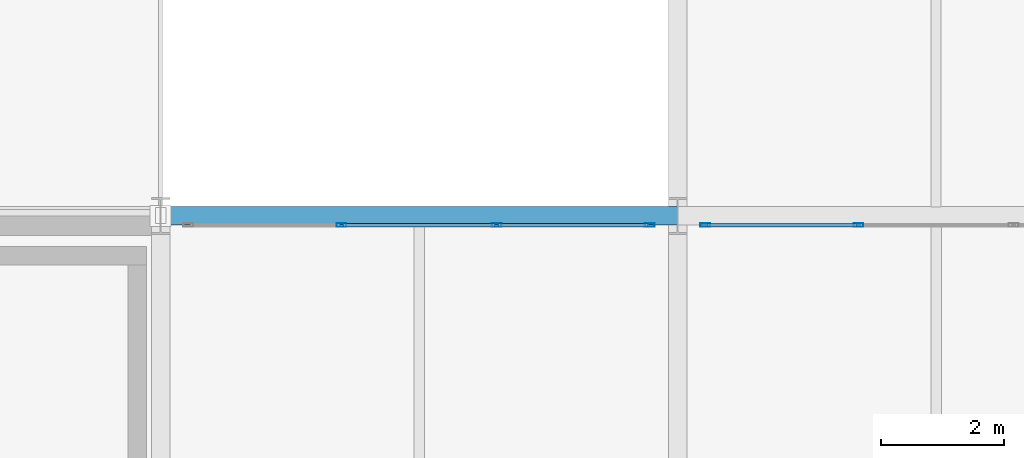
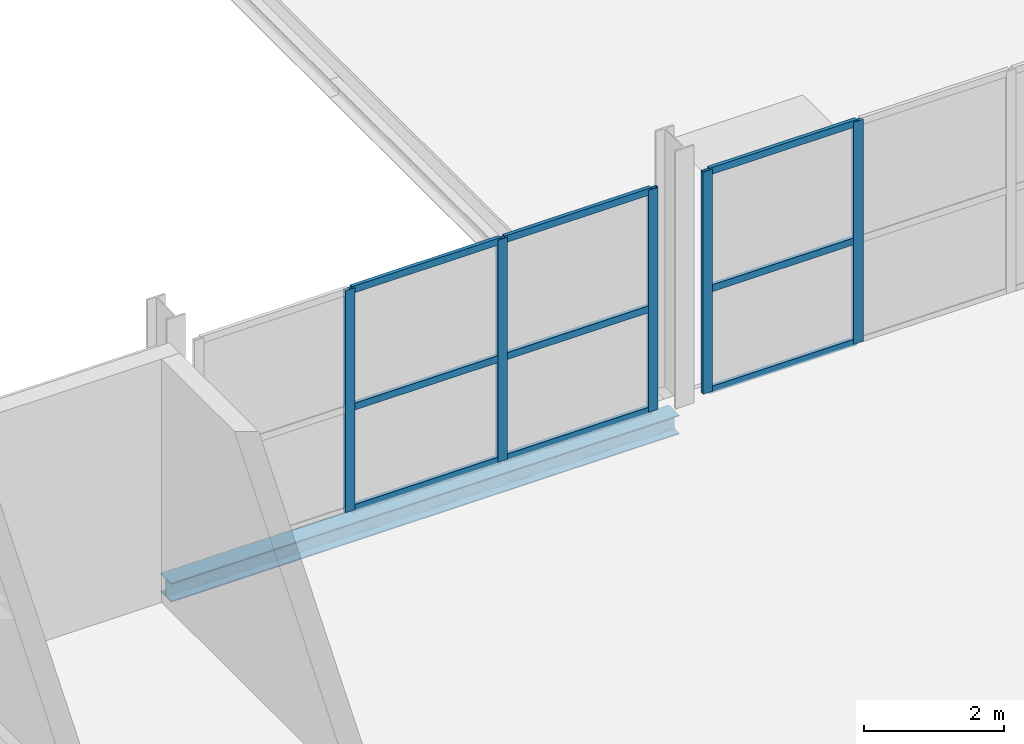
# One storey, part 67 of 130: 14 members, 1 beam, 2 elements without a shape of their own.
"""IFC4 building model written with IfcOpenShell, lengths in metres."""

from ifc_helpers import new_model, si_unit, direction, frame, origin, origin_2d, place, context, subcontext, project, spatial, hollow_rectangle, i_section, extrude, material, material_profile, profile_set, type_object, element, aggregate, save


model = new_model("IFC4")

# Units and contexts
model_context = context("Model", 3, precision=1e-05, world=origin(), true_north=direction((0.0, 1.0)))
body_context = subcontext(model_context, "Body", "Model", "MODEL_VIEW")
ifc_project = project(units=[si_unit("LENGTHUNIT", "METRE"), si_unit("AREAUNIT", "SQUARE_METRE"), si_unit("VOLUMEUNIT", "CUBIC_METRE"), si_unit("PLANEANGLEUNIT", "RADIAN"), si_unit("MASSUNIT", "GRAM", prefix="KILO")], contexts=[model_context])

# Site, building, storey
site_placement = place(None, origin())
site = spatial("IfcSite", under=ifc_project, at=site_placement, CompositionType="ELEMENT")
building_placement = place(site_placement, origin())
building = spatial("IfcBuilding", under=site, at=building_placement, Name="Veltarok Museum of Natural Sciences", CompositionType="ELEMENT")
storey_placement = place(building_placement, frame((0.0, 0.0, 12.89990234375)))
storey = spatial("IfcBuildingStorey", under=building, at=storey_placement, Name="L02", CompositionType="ELEMENT", Elevation=12.89990234375)

# Curtain wall, members
ifc_material_1 = material(Name="Low-iron triple insulated glass", Category="glass")
curtain_wall_type_1 = type_object("IfcCurtainWallType", Name="Curtain Wall System CW-V2N-L02-6-756x388 (V2 North Hall L02 6-7 756x388cm)", PredefinedType="NOTDEFINED", material=ifc_material_1)
curtain_wall_1_placement = place(storey_placement, origin())
curtain_wall_1 = element("IfcCurtainWall", 1, at=curtain_wall_1_placement, inside=storey, type_object=curtain_wall_type_1, Name="Curtain Wall CW-V2N-L02-6-756x388 CW-0049", PredefinedType="NOTDEFINED")
ifc_material_2 = material(Name="Thermally broken anodised aluminium", Category="aluminium")
ifc_material_profile_1 = material_profile(ifc_material_2, hollow_rectangle(XDim=0.06005859375, YDim=0.1201171875, WallThickness=0.0048828125, at=origin_2d()), Name="CW TRANSOM 60x120x5")
ifc_profile_set_1 = profile_set([ifc_material_profile_1], Name="Thermally broken anodised aluminium")
member_type_1 = type_object("IfcMemberType", Name="Curtain Wall Horizontal Transom 60x120x5", PredefinedType="USERDEFINED", material=ifc_profile_set_1)
member_1_placement = place(storey_placement, frame((56.320068359375, 71.85009765625, 0.030029296875), z_axis=(-1.0, 0.0, 0.0), x_axis=(0.0, -1.0, 0.0)))
member_1 = element("IfcMember", 2, at=member_1_placement, type_object=member_type_1, Name="CW-V2N-L02-6-756x388 transom 1.1", ObjectType="TRANSOM", PredefinedType="USERDEFINED", context=body_context, shape_type="SweptSolid", body=[
    extrude(hollow_rectangle(XDim=0.06005859375, YDim=0.1201171875, WallThickness=0.0048828125, at=origin_2d()), origin(), (0.0, 0.0, 1.0), 2.43017578125),
])
member_2_placement = place(storey_placement, frame((56.320068359375, 71.85009765625, 1.800048828125), z_axis=(-1.0, 0.0, 0.0), x_axis=(0.0, -1.0, 0.0)))
member_2 = element("IfcMember", 3, at=member_2_placement, type_object=member_type_1, Name="CW-V2N-L02-6-756x388 transom 1.2", ObjectType="TRANSOM", PredefinedType="USERDEFINED", context=body_context, shape_type="SweptSolid", body=[
    extrude(hollow_rectangle(XDim=0.06005859375, YDim=0.1201171875, WallThickness=0.0048828125, at=origin_2d()), origin(), (0.0, 0.0, 1.0), 2.43017578125),
])
member_3_placement = place(storey_placement, frame((56.320068359375, 71.85009765625, 3.85009765625), z_axis=(-1.0, 0.0, 0.0), x_axis=(0.0, -1.0, 0.0)))
member_3 = element("IfcMember", 4, at=member_3_placement, type_object=member_type_1, Name="CW-V2N-L02-6-756x388 transom 1.3", ObjectType="TRANSOM", PredefinedType="USERDEFINED", context=body_context, shape_type="SweptSolid", body=[
    extrude(hollow_rectangle(XDim=0.06005859375, YDim=0.1201171875, WallThickness=0.0048828125, at=origin_2d()), origin(), (0.0, 0.0, 1.0), 2.43017578125),
])
member_4_placement = place(storey_placement, frame((53.830078125, 71.85009765625, 0.030029296875), z_axis=(-1.0, 0.0, 0.0), x_axis=(0.0, -1.0, 0.0)))
member_4 = element("IfcMember", 5, at=member_4_placement, type_object=member_type_1, Name="CW-V2N-L02-6-756x388 transom 2.1", ObjectType="TRANSOM", PredefinedType="USERDEFINED", context=body_context, shape_type="SweptSolid", body=[
    extrude(hollow_rectangle(XDim=0.06005859375, YDim=0.1201171875, WallThickness=0.0048828125, at=origin_2d()), origin(), (0.0, 0.0, 1.0), 2.4599609375),
])
member_5_placement = place(storey_placement, frame((53.830078125, 71.85009765625, 1.800048828125), z_axis=(-1.0, 0.0, 0.0), x_axis=(0.0, -1.0, 0.0)))
member_5 = element("IfcMember", 6, at=member_5_placement, type_object=member_type_1, Name="CW-V2N-L02-6-756x388 transom 2.2", ObjectType="TRANSOM", PredefinedType="USERDEFINED", context=body_context, shape_type="SweptSolid", body=[
    extrude(hollow_rectangle(XDim=0.06005859375, YDim=0.1201171875, WallThickness=0.0048828125, at=origin_2d()), origin(), (0.0, 0.0, 1.0), 2.4599609375),
])
member_6_placement = place(storey_placement, frame((53.830078125, 71.85009765625, 3.85009765625), z_axis=(-1.0, 0.0, 0.0), x_axis=(0.0, -1.0, 0.0)))
member_6 = element("IfcMember", 7, at=member_6_placement, type_object=member_type_1, Name="CW-V2N-L02-6-756x388 transom 2.3", ObjectType="TRANSOM", PredefinedType="USERDEFINED", context=body_context, shape_type="SweptSolid", body=[
    extrude(hollow_rectangle(XDim=0.06005859375, YDim=0.1201171875, WallThickness=0.0048828125, at=origin_2d()), origin(), (0.0, 0.0, 1.0), 2.4599609375),
])

curtain_wall_type_2 = type_object("IfcCurtainWallType", Name="Curtain Wall System CW-V2N-L02-7-756x388 (V2 North Hall L02 7-8 756x388cm)", PredefinedType="NOTDEFINED", material=ifc_material_1)
curtain_wall_2_placement = place(storey_placement, origin())
curtain_wall_2 = element("IfcCurtainWall", 8, at=curtain_wall_2_placement, inside=storey, type_object=curtain_wall_type_2, Name="Curtain Wall CW-V2N-L02-7-756x388 CW-0050", PredefinedType="NOTDEFINED")
member_7_placement = place(storey_placement, frame((59.7099609375, 71.85009765625, 0.030029296875), z_axis=(-1.0, 0.0, 0.0), x_axis=(0.0, -1.0, 0.0)))
member_7 = element("IfcMember", 9, at=member_7_placement, type_object=member_type_1, Name="CW-V2N-L02-7-756x388 transom 3.1", ObjectType="TRANSOM", PredefinedType="USERDEFINED", context=body_context, shape_type="SweptSolid", body=[
    extrude(hollow_rectangle(XDim=0.06005859375, YDim=0.1201171875, WallThickness=0.0048828125, at=origin_2d()), origin(), (0.0, 0.0, 1.0), 2.429931640625),
])
member_8_placement = place(storey_placement, frame((59.7099609375, 71.85009765625, 1.800048828125), z_axis=(-1.0, 0.0, 0.0), x_axis=(0.0, -1.0, 0.0)))
member_8 = element("IfcMember", 10, at=member_8_placement, type_object=member_type_1, Name="CW-V2N-L02-7-756x388 transom 3.2", ObjectType="TRANSOM", PredefinedType="USERDEFINED", context=body_context, shape_type="SweptSolid", body=[
    extrude(hollow_rectangle(XDim=0.06005859375, YDim=0.1201171875, WallThickness=0.0048828125, at=origin_2d()), origin(), (0.0, 0.0, 1.0), 2.429931640625),
])
member_9_placement = place(storey_placement, frame((59.7099609375, 71.85009765625, 3.85009765625), z_axis=(-1.0, 0.0, 0.0), x_axis=(0.0, -1.0, 0.0)))
member_9 = element("IfcMember", 11, at=member_9_placement, type_object=member_type_1, Name="CW-V2N-L02-7-756x388 transom 3.3", ObjectType="TRANSOM", PredefinedType="USERDEFINED", context=body_context, shape_type="SweptSolid", body=[
    extrude(hollow_rectangle(XDim=0.06005859375, YDim=0.1201171875, WallThickness=0.0048828125, at=origin_2d()), origin(), (0.0, 0.0, 1.0), 2.429931640625),
])

# Member
ifc_material_profile_2 = material_profile(ifc_material_2, hollow_rectangle(XDim=0.06005859375, YDim=0.159912109375, WallThickness=0.0048828125, at=origin_2d()), Name="CW MULLION 60x160x5")
ifc_profile_set_2 = profile_set([ifc_material_profile_2], Name="Thermally broken anodised aluminium")
member_type_2 = type_object("IfcMemberType", Name="Curtain Wall Vertical Mullion 60x160x5", PredefinedType="MULLION", material=ifc_profile_set_2)
member_10_placement = place(storey_placement, frame((56.35009765625, 71.85009765625, 0.0), z_axis=(0.0, 0.0, 1.0), x_axis=(0.0, -1.0, 0.0)))
member_10 = element("IfcMember", 12, at=member_10_placement, type_object=member_type_2, Name="CW-V2N-L02-6-756x388 mullion 1", PredefinedType="MULLION", context=body_context, shape_type="SweptSolid", body=[
    extrude(hollow_rectangle(XDim=0.06005859375, YDim=0.159912109375, WallThickness=0.0048828125, at=origin_2d()), origin(), (0.0, 0.0, 1.0), 3.880126953125),
])

member_11_placement = place(storey_placement, frame((53.860107421875, 71.85009765625, 0.0), z_axis=(0.0, 0.0, 1.0), x_axis=(0.0, -1.0, 0.0)))
member_11 = element("IfcMember", 13, at=member_11_placement, type_object=member_type_2, Name="CW-V2N-L02-6-756x388 mullion 2", PredefinedType="MULLION", context=body_context, shape_type="SweptSolid", body=[
    extrude(hollow_rectangle(XDim=0.06005859375, YDim=0.159912109375, WallThickness=0.0048828125, at=origin_2d()), origin(), (0.0, 0.0, 1.0), 3.880126953125),
])

member_12_placement = place(storey_placement, frame((51.340087890625, 71.85009765625, 0.0), z_axis=(0.0, 0.0, 1.0), x_axis=(0.0, -1.0, 0.0)))
member_12 = element("IfcMember", 14, at=member_12_placement, type_object=member_type_2, Name="CW-V2N-L02-6-756x388 mullion 3", PredefinedType="MULLION", context=body_context, shape_type="SweptSolid", body=[
    extrude(hollow_rectangle(XDim=0.06005859375, YDim=0.159912109375, WallThickness=0.0048828125, at=origin_2d()), origin(), (0.0, 0.0, 1.0), 3.880126953125),
])

aggregate(curtain_wall_1, [member_10, member_11, member_12, member_1, member_2, member_3, member_4, member_5, member_6])

member_13_placement = place(storey_placement, frame((59.739990234375, 71.85009765625, 0.0), z_axis=(0.0, 0.0, 1.0), x_axis=(0.0, -1.0, 0.0)))
member_13 = element("IfcMember", 15, at=member_13_placement, type_object=member_type_2, Name="CW-V2N-L02-7-756x388 mullion 3", PredefinedType="MULLION", context=body_context, shape_type="SweptSolid", body=[
    extrude(hollow_rectangle(XDim=0.06005859375, YDim=0.159912109375, WallThickness=0.0048828125, at=origin_2d()), origin(), (0.0, 0.0, 1.0), 3.880126953125),
])

member_14_placement = place(storey_placement, frame((57.25, 71.85009765625, 0.0), z_axis=(0.0, 0.0, 1.0), x_axis=(0.0, -1.0, 0.0)))
member_14 = element("IfcMember", 16, at=member_14_placement, type_object=member_type_2, Name="CW-V2N-L02-7-756x388 mullion 4", PredefinedType="MULLION", context=body_context, shape_type="SweptSolid", body=[
    extrude(hollow_rectangle(XDim=0.06005859375, YDim=0.159912109375, WallThickness=0.0048828125, at=origin_2d()), origin(), (0.0, 0.0, 1.0), 3.880126953125),
])

aggregate(curtain_wall_2, [member_13, member_14, member_7, member_8, member_9])

# Beam
ifc_material_3 = material(Name="Steel S355J2", Category="steel")
ifc_material_profile_3 = material_profile(ifc_material_3, i_section(OverallWidth=0.300048828125, OverallDepth=0.330078125, WebThickness=0.009521484375, FlangeThickness=0.0166015625, FilletRadius=0.027099609375, at=origin_2d()), Name="HEA 340")
ifc_profile_set_3 = profile_set([ifc_material_profile_3], Name="Steel S355J2")
beam_type = type_object("IfcBeamType", Name="Perimeter Upper Spandrel HEA 340", PredefinedType="SPANDREL", material=ifc_profile_set_3)
beam_placement = place(storey_placement, frame((48.39990234375, 72.0, -0.414794921875), z_axis=(1.0, 0.0, 0.0), x_axis=(0.0, 1.0, 0.0)))
element("IfcBeam", 17, at=beam_placement, inside=storey, type_object=beam_type, Name="Beam BM-SP05 L02 6-7/H", PredefinedType="SPANDREL", context=body_context, shape_type="SweptSolid", body=[
    extrude(i_section(OverallWidth=0.300048828125, OverallDepth=0.330078125, WebThickness=0.009521484375, FlangeThickness=0.0166015625, FilletRadius=0.027099609375, at=origin_2d()), origin(), (0.0, 0.0, 1.0), 8.400146484375),
])

save(model, "model.ifc")
